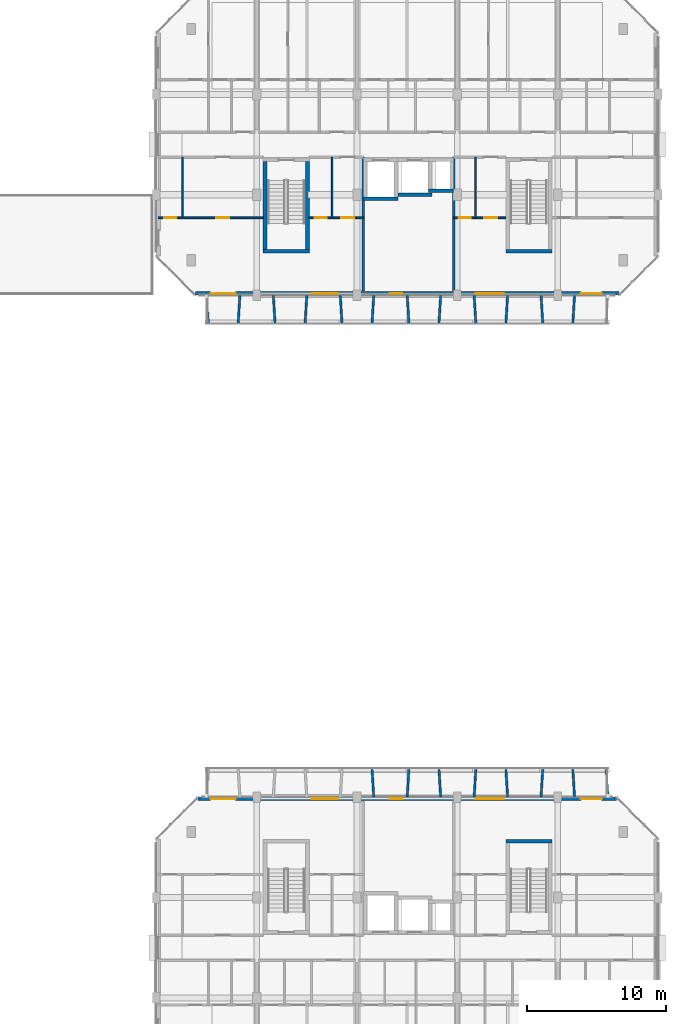
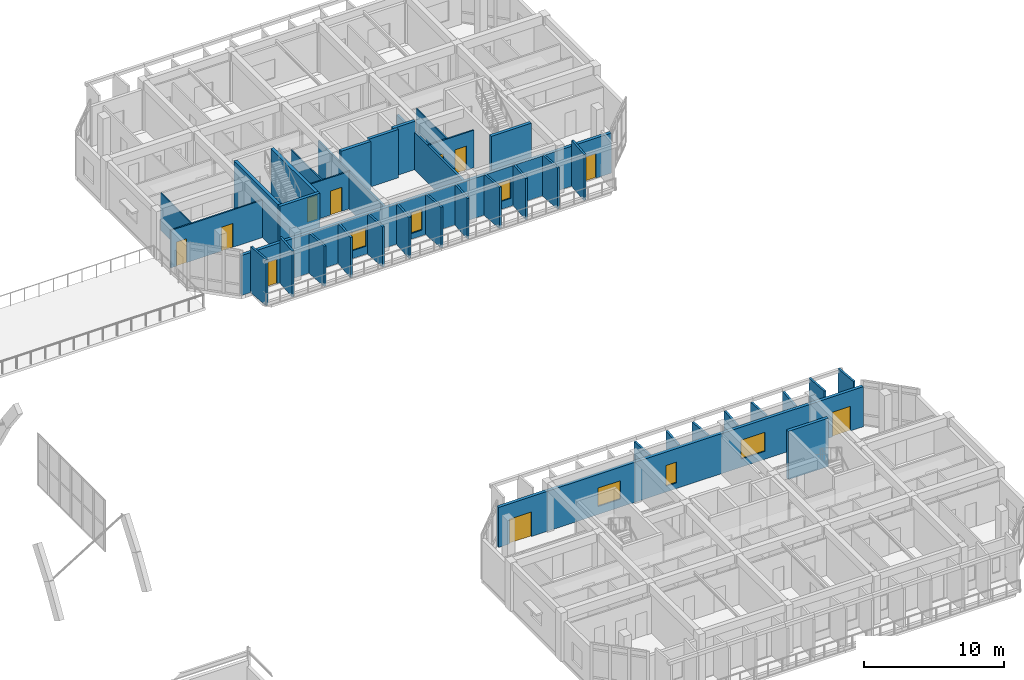
# One storey, part 59 of 85: 38 walls, 10 doors, 6 windows, 16 openings.
"""IFC4 building model written with IfcOpenShell, lengths in metres."""

from ifc_helpers import new_model, si_unit, direction, frame, frame_2d, origin, place, context, subcontext, project, spatial, rectangle, extrude, material, layer, layer_set, type_object, element, fill, save


model = new_model("IFC4")

# Units and contexts
model_context = context("Model", 3, precision=1e-05, world=origin(), true_north=direction((0.0, 1.0)))
body_context = subcontext(model_context, "Body", "Model", "MODEL_VIEW")
ifc_project = project(units=[si_unit("LENGTHUNIT", "METRE"), si_unit("AREAUNIT", "SQUARE_METRE"), si_unit("VOLUMEUNIT", "CUBIC_METRE"), si_unit("PLANEANGLEUNIT", "RADIAN"), si_unit("MASSUNIT", "GRAM", prefix="KILO")], contexts=[model_context])

# Site, building, storey
site_placement = place(None, origin())
site = spatial("IfcSite", under=ifc_project, at=site_placement, CompositionType="ELEMENT")
building_placement = place(site_placement, origin())
building = spatial("IfcBuilding", under=site, at=building_placement, Name="Ochrevale Crest", CompositionType="ELEMENT")
storey_placement = place(building_placement, frame((0.0, 0.0, 4.5)))
storey = spatial("IfcBuildingStorey", under=building, at=storey_placement, Name="L01", CompositionType="ELEMENT", Elevation=4.5)

# Walls
ifc_material_1 = material(Name="Precast concrete C50/60", Category="concrete")
ifc_layer_1 = layer(ifc_material_1, 0.2548828125)
ifc_layer_set_1 = layer_set([ifc_layer_1], Name="Precast concrete C50/60")
wall_type_1 = type_object("IfcWallType", Name="WL-CORE-255", PredefinedType="SHEAR", material=ifc_layer_set_1)
for number, where, z_axis, x_axis, name in (
    (1, (154.672607421875, 32.85009765625, 0.0), (0.0, 0.0, 1.0), (1.0, 0.0, 0.0), "Block C L01 Stair 2 precast core shear wall N"),
    (2, (137.2724609375, 75.14990234375, 0.0), (0.0, 0.0, 1.0), (1.0, 0.0, 0.0), "Block D L01 Stair 1 precast core shear wall S"),
):
    element("IfcWall", number, at=place(storey_placement, frame(where, z_axis=z_axis, x_axis=x_axis)), inside=storey, type_object=wall_type_1, Name=name, PredefinedType="SHEAR", context=body_context, shape_type="SweptSolid", body=[
        extrude(rectangle(XDim=3.304931640625, YDim=0.2548828125, at=frame_2d((1.65234375, 0.0))), origin(), (0.0, 0.0, 1.0), 4.199951171875),
    ])
for number, where, z_axis, x_axis, name in (
    (3, (137.39990234375, 75.277587890625, 0.0), (0.0, 0.0, 1.0), (0.0, 1.0, 0.0), "Block D L01 Stair 1 precast core shear wall W"),
    (4, (140.449951171875, 75.277587890625, 0.0), (0.0, 0.0, 1.0), (0.0, 1.0, 0.0), "Block D L01 Stair 1 precast core shear wall E"),
):
    element("IfcWall", number, at=place(storey_placement, frame(where, z_axis=z_axis, x_axis=x_axis)), inside=storey, type_object=wall_type_1, Name=name, PredefinedType="SHEAR", context=body_context, shape_type="SweptSolid", body=[
        extrude(rectangle(XDim=6.294921875, YDim=0.2548828125, at=frame_2d((3.1474609375, 0.0))), origin(), (0.0, 0.0, 1.0), 4.199951171875),
    ])
wall_1_placement = place(storey_placement, frame((154.672607421875, 75.14990234375, 0.0), z_axis=(0.0, 0.0, 1.0), x_axis=(1.0, 0.0, 0.0)))
element("IfcWall", 5, at=wall_1_placement, inside=storey, type_object=wall_type_1, Name="Block D L01 Stair 2 precast core shear wall S", PredefinedType="SHEAR", context=body_context, shape_type="SweptSolid", body=[
    extrude(rectangle(XDim=3.304931640625, YDim=0.2548828125, at=frame_2d((1.65234375, 0.0))), origin(), (0.0, 0.0, 1.0), 4.199951171875),
])
wall_2_placement = place(storey_placement, frame((144.472412109375, 78.89990234375, 0.0), z_axis=(0.0, 0.0, 1.0), x_axis=(1.0, 0.0, 0.0)))
element("IfcWall", 6, at=wall_2_placement, inside=storey, type_object=wall_type_1, Name="Block D L01 Lift 1 precast shaft shear wall S", PredefinedType="SHEAR", context=body_context, shape_type="SweptSolid", body=[
    extrude(rectangle(XDim=2.455078125, YDim=0.2548828125, at=frame_2d((1.2275390625, 0.0))), origin(), (0.0, 0.0, 1.0), 4.199951171875),
])
wall_3_placement = place(storey_placement, frame((146.922607421875, 79.199951171875, 0.0), z_axis=(0.0, 0.0, 1.0), x_axis=(1.0, 0.0, 0.0)))
element("IfcWall", 7, at=wall_3_placement, inside=storey, type_object=wall_type_1, Name="Block D L01 Lift 2 precast shaft shear wall S", PredefinedType="SHEAR", context=body_context, shape_type="SweptSolid", body=[
    extrude(rectangle(XDim=2.454833984375, YDim=0.2548828125, at=frame_2d((1.2275390625, 0.0))), origin(), (0.0, 0.0, 1.0), 4.199951171875),
])
wall_4_placement = place(storey_placement, frame((149.12255859375, 79.5, 0.0), z_axis=(0.0, 0.0, 1.0), x_axis=(1.0, 0.0, 0.0)))
element("IfcWall", 8, at=wall_4_placement, inside=storey, type_object=wall_type_1, Name="Block D L01 services riser shaft core wall S", PredefinedType="SHEAR", context=body_context, shape_type="SweptSolid", body=[
    extrude(rectangle(XDim=1.804931640625, YDim=0.2548828125, at=frame_2d((0.90234375, 0.0))), origin(), (0.0, 0.0, 1.0), 4.199951171875),
])

# Wall, openings, doors, windows
ifc_material_2 = material(Name="Precast concrete C40/50", Category="concrete")
ifc_layer_2 = layer(ifc_material_2, 0.25)
ifc_layer_set_2 = layer_set([ifc_layer_2], Name="Precast concrete C40/50")
wall_type_2 = type_object("IfcWallType", Name="WL-EXT-GOLD-250", PredefinedType="SOLIDWALL", material=ifc_layer_set_2)
wall_5_placement = place(storey_placement, frame((162.60009765625, 35.875, 0.0), z_axis=(0.0, 0.0, 1.0), x_axis=(-1.0, 0.0, 0.0)))
wall_5 = element("IfcWall", 9, at=wall_5_placement, inside=storey, type_object=wall_type_2, Name="Block C L01 external facade wall E5", PredefinedType="SOLIDWALL", context=body_context, shape_type="SweptSolid", body=[
    extrude(rectangle(XDim=30.0, YDim=0.25, at=frame_2d((15.0, 0.0))), origin(), (0.0, 0.0, 1.0), 3.47998046875),
])
opening_1_placement = place(wall_5_placement, frame((29.10009765625, 0.0, 0.0), z_axis=(0.0, 0.0, 1.0), x_axis=(-1.0, 0.0, 0.0)))
opening_1 = element("IfcOpeningElement", 10, at=opening_1_placement, cuts=wall_5, Name="Opening BD03", PredefinedType="OPENING", context=body_context, shape_type="SweptSolid", body=[
    extrude(rectangle(XDim=1.800048828125, YDim=2.14990234375, at=frame_2d((0.89990234375, 1.074951171875))), frame((0.0, 0.135009765625, 0.0), z_axis=(0.0, -1.0, 0.0), x_axis=(1.0, 0.0, 0.0)), (0.0, 0.0, 1.0), 0.27001953125),
])
opening_2_placement = place(wall_5_placement, frame((2.550048828125, 0.0, 0.0), z_axis=(0.0, 0.0, 1.0), x_axis=(-1.0, 0.0, 0.0)))
opening_2 = element("IfcOpeningElement", 11, at=opening_2_placement, cuts=wall_5, Name="Opening BD01", PredefinedType="OPENING", context=body_context, shape_type="SweptSolid", body=[
    extrude(rectangle(XDim=1.5, YDim=2.14990234375, at=frame_2d((0.75, 1.074951171875))), frame((0.0, 0.135009765625, 0.0), z_axis=(0.0, -1.0, 0.0), x_axis=(1.0, 0.0, 0.0)), (0.0, 0.0, 1.0), 0.27001953125),
])
opening_3_placement = place(wall_5_placement, frame((15.35498046875, 0.0, 0.5)))
opening_3 = element("IfcOpeningElement", 12, at=opening_3_placement, cuts=wall_5, Name="Opening W17", PredefinedType="OPENING", context=body_context, shape_type="SweptSolid", body=[
    extrude(rectangle(XDim=0.89990234375, YDim=1.800048828125, at=frame_2d((0.449951171875, 0.89990234375))), frame((0.0, 0.135009765625, 0.0), z_axis=(0.0, -1.0, 0.0), x_axis=(1.0, 0.0, 0.0)), (0.0, 0.0, 1.0), 0.27001953125),
])
opening_4_placement = place(wall_5_placement, frame((8.074951171875, 0.0, 0.699951171875)))
opening_4 = element("IfcOpeningElement", 13, at=opening_4_placement, cuts=wall_5, Name="Opening W12", PredefinedType="OPENING", context=body_context, shape_type="SweptSolid", body=[
    extrude(rectangle(XDim=2.0, YDim=1.64990234375, at=frame_2d((1.0, 0.824951171875))), frame((0.0, 0.135009765625, 0.0), z_axis=(0.0, -1.0, 0.0), x_axis=(1.0, 0.0, 0.0)), (0.0, 0.0, 1.0), 0.27001953125),
])
opening_5_placement = place(wall_5_placement, frame((19.969970703125, 0.0, 0.699951171875)))
opening_5 = element("IfcOpeningElement", 14, at=opening_5_placement, cuts=wall_5, Name="Opening W11", PredefinedType="OPENING", context=body_context, shape_type="SweptSolid", body=[
    extrude(rectangle(XDim=1.860107421875, YDim=1.60009765625, at=frame_2d((0.93017578125, 0.800048828125))), frame((0.0, 0.135009765625, 0.0), z_axis=(0.0, -1.0, 0.0), x_axis=(1.0, 0.0, 0.0)), (0.0, 0.0, 1.0), 0.27001953125),
])
ifc_material_3 = material(Name="Anodised aluminium 6063-T5 and toughened glass", Category="aluminium")
door_type_1 = type_object("IfcDoorType", Name="DR-BAL-1500", OperationType="NOTDEFINED", PredefinedType="DOOR", material=ifc_material_3)
door_1_placement = place(opening_2_placement, origin())
door_1 = element("IfcDoor", 15, at=door_1_placement, inside=storey, type_object=door_type_1, Name="Block C L01 balcony door N5", OperationType="SINGLE_SWING_LEFT", OverallHeight=2.14990234375, OverallWidth=1.5, PredefinedType="DOOR", context=body_context, shape_type="SweptSolid", body=[
    extrude(rectangle(XDim=1.5, YDim=2.14990234375, at=frame_2d((0.75, 1.074951171875))), frame((0.0, 0.02490234375, 0.0), z_axis=(0.0, -1.0, 0.0), x_axis=(1.0, 0.0, 0.0)), (0.0, 0.0, 1.0), 0.050048828125),
])
fill(opening_2, door_1)
door_type_2 = type_object("IfcDoorType", Name="DR-BAL-1800", OperationType="NOTDEFINED", PredefinedType="DOOR", material=ifc_material_3)
door_2_placement = place(opening_1_placement, origin())
door_2 = element("IfcDoor", 16, at=door_2_placement, inside=storey, type_object=door_type_2, Name="Block C L01 balcony door N1", OperationType="SINGLE_SWING_RIGHT", OverallHeight=2.14990234375, OverallWidth=1.800048828125, PredefinedType="DOOR", context=body_context, shape_type="SweptSolid", body=[
    extrude(rectangle(XDim=1.800048828125, YDim=2.14990234375, at=frame_2d((0.89990234375, 1.074951171875))), frame((0.0, 0.02490234375, 0.0), z_axis=(0.0, -1.0, 0.0), x_axis=(1.0, 0.0, 0.0)), (0.0, 0.0, 1.0), 0.050048828125),
])
fill(opening_1, door_2)
ifc_material_4 = material(Name="Anodised aluminium 6063-T5 and low-E double glazing", Category="aluminium")
window_type_1 = type_object("IfcWindowType", Name="WIN-W11", PartitioningType="SINGLE_PANEL", PredefinedType="WINDOW", material=ifc_material_4)
window_1_placement = place(opening_5_placement, origin())
window_1 = element("IfcWindow", 17, at=window_1_placement, inside=storey, type_object=window_type_1, Name="Block C L01 Suite C-L01-MW Courtyard Studio Living window", OverallHeight=1.60009765625, OverallWidth=1.860107421875, PartitioningType="SINGLE_PANEL", PredefinedType="WINDOW", context=body_context, shape_type="SweptSolid", body=[
    extrude(rectangle(XDim=1.860107421875, YDim=1.60009765625, at=frame_2d((0.93017578125, 0.800048828125))), frame((0.0, 0.030029296875, 0.0), z_axis=(0.0, -1.0, 0.0), x_axis=(1.0, 0.0, 0.0)), (0.0, 0.0, 1.0), 0.06005859375),
])
fill(opening_5, window_1)
window_type_2 = type_object("IfcWindowType", Name="WIN-W12", PartitioningType="SINGLE_PANEL", PredefinedType="WINDOW", material=ifc_material_4)
window_2_placement = place(opening_4_placement, origin())
window_2 = element("IfcWindow", 18, at=window_2_placement, inside=storey, type_object=window_type_2, Name="Block C L01 Suite C-L01-ME Garden Alcove Studio window", OverallHeight=1.64990234375, OverallWidth=2.0, PartitioningType="SINGLE_PANEL", PredefinedType="WINDOW", context=body_context, shape_type="SweptSolid", body=[
    extrude(rectangle(XDim=2.0, YDim=1.64990234375, at=frame_2d((1.0, 0.824951171875))), frame((0.0, 0.030029296875, 0.0), z_axis=(0.0, -1.0, 0.0), x_axis=(1.0, 0.0, 0.0)), (0.0, 0.0, 1.0), 0.06005859375),
])
fill(opening_4, window_2)
window_type_3 = type_object("IfcWindowType", Name="WIN-W17", PartitioningType="SINGLE_PANEL", PredefinedType="WINDOW", material=ifc_material_4)
window_3_placement = place(opening_3_placement, origin())
window_3 = element("IfcWindow", 19, at=window_3_placement, inside=storey, type_object=window_type_3, Name="Block C L01 core lancet window", OverallHeight=1.800048828125, OverallWidth=0.89990234375, PartitioningType="SINGLE_PANEL", PredefinedType="WINDOW", context=body_context, shape_type="SweptSolid", body=[
    extrude(rectangle(XDim=0.89990234375, YDim=1.800048828125, at=frame_2d((0.449951171875, 0.89990234375))), frame((0.0, 0.030029296875, 0.0), z_axis=(0.0, -1.0, 0.0), x_axis=(1.0, 0.0, 0.0)), (0.0, 0.0, 1.0), 0.06005859375),
])
fill(opening_3, window_3)

wall_6_placement = place(storey_placement, frame((132.39990234375, 72.125, 0.0), z_axis=(0.0, 0.0, 1.0), x_axis=(1.0, 0.0, 0.0)))
wall_6 = element("IfcWall", 20, at=wall_6_placement, inside=storey, type_object=wall_type_2, Name="Block D L01 external facade wall E1", PredefinedType="SOLIDWALL", context=body_context, shape_type="SweptSolid", body=[
    extrude(rectangle(XDim=30.400146484375, YDim=0.25, at=frame_2d((15.2001953125, 0.0))), origin(), (0.0, 0.0, 1.0), 3.47998046875),
])
opening_6_placement = place(wall_6_placement, frame((2.900146484375, 0.0, 0.0), z_axis=(0.0, 0.0, 1.0), x_axis=(-1.0, 0.0, 0.0)))
opening_6 = element("IfcOpeningElement", 21, at=opening_6_placement, cuts=wall_6, Name="Opening BD03", PredefinedType="OPENING", context=body_context, shape_type="SweptSolid", body=[
    extrude(rectangle(XDim=1.800048828125, YDim=2.14990234375, at=frame_2d((0.89990234375, 1.074951171875))), frame((0.0, 0.135009765625, 0.0), z_axis=(0.0, -1.0, 0.0), x_axis=(1.0, 0.0, 0.0)), (0.0, 0.0, 1.0), 0.27001953125),
])
opening_7_placement = place(wall_6_placement, frame((29.14990234375, 0.0, 0.0), z_axis=(0.0, 0.0, 1.0), x_axis=(-1.0, 0.0, 0.0)))
opening_7 = element("IfcOpeningElement", 22, at=opening_7_placement, cuts=wall_6, Name="Opening BD01", PredefinedType="OPENING", context=body_context, shape_type="SweptSolid", body=[
    extrude(rectangle(XDim=1.5, YDim=2.14990234375, at=frame_2d((0.75, 1.074951171875))), frame((0.0, 0.135009765625, 0.0), z_axis=(0.0, -1.0, 0.0), x_axis=(1.0, 0.0, 0.0)), (0.0, 0.0, 1.0), 0.27001953125),
])
opening_8_placement = place(wall_6_placement, frame((13.945068359375, 0.0, 0.5)))
opening_8 = element("IfcOpeningElement", 23, at=opening_8_placement, cuts=wall_6, Name="Opening W17", PredefinedType="OPENING", context=body_context, shape_type="SweptSolid", body=[
    extrude(rectangle(XDim=0.89990234375, YDim=1.800048828125, at=frame_2d((0.449951171875, 0.89990234375))), frame((0.0, 0.135009765625, 0.0), z_axis=(0.0, -1.0, 0.0), x_axis=(1.0, 0.0, 0.0)), (0.0, 0.0, 1.0), 0.27001953125),
])
opening_9_placement = place(wall_6_placement, frame((20.125, 0.0, 0.699951171875)))
opening_9 = element("IfcOpeningElement", 24, at=opening_9_placement, cuts=wall_6, Name="Opening W12", PredefinedType="OPENING", context=body_context, shape_type="SweptSolid", body=[
    extrude(rectangle(XDim=2.0, YDim=1.64990234375, at=frame_2d((1.0, 0.824951171875))), frame((0.0, 0.135009765625, 0.0), z_axis=(0.0, -1.0, 0.0), x_axis=(1.0, 0.0, 0.0)), (0.0, 0.0, 1.0), 0.27001953125),
])
opening_10_placement = place(wall_6_placement, frame((8.3701171875, 0.0, 0.699951171875)))
opening_10 = element("IfcOpeningElement", 25, at=opening_10_placement, cuts=wall_6, Name="Opening W11", PredefinedType="OPENING", context=body_context, shape_type="SweptSolid", body=[
    extrude(rectangle(XDim=1.860107421875, YDim=1.60009765625, at=frame_2d((0.93017578125, 0.800048828125))), frame((0.0, 0.135009765625, 0.0), z_axis=(0.0, -1.0, 0.0), x_axis=(1.0, 0.0, 0.0)), (0.0, 0.0, 1.0), 0.27001953125),
])
door_3_placement = place(opening_7_placement, origin())
door_3 = element("IfcDoor", 26, at=door_3_placement, inside=storey, type_object=door_type_1, Name="Block D L01 balcony door S5", OperationType="SINGLE_SWING_LEFT", OverallHeight=2.14990234375, OverallWidth=1.5, PredefinedType="DOOR", context=body_context, shape_type="SweptSolid", body=[
    extrude(rectangle(XDim=1.5, YDim=2.14990234375, at=frame_2d((0.75, 1.074951171875))), frame((0.0, 0.02490234375, 0.0), z_axis=(0.0, -1.0, 0.0), x_axis=(1.0, 0.0, 0.0)), (0.0, 0.0, 1.0), 0.050048828125),
])
fill(opening_7, door_3)
door_4_placement = place(opening_6_placement, origin())
door_4 = element("IfcDoor", 27, at=door_4_placement, inside=storey, type_object=door_type_2, Name="Block D L01 balcony door S1", OperationType="SINGLE_SWING_RIGHT", OverallHeight=2.14990234375, OverallWidth=1.800048828125, PredefinedType="DOOR", context=body_context, shape_type="SweptSolid", body=[
    extrude(rectangle(XDim=1.800048828125, YDim=2.14990234375, at=frame_2d((0.89990234375, 1.074951171875))), frame((0.0, 0.02490234375, 0.0), z_axis=(0.0, -1.0, 0.0), x_axis=(1.0, 0.0, 0.0)), (0.0, 0.0, 1.0), 0.050048828125),
])
fill(opening_6, door_4)
window_4_placement = place(opening_10_placement, origin())
window_4 = element("IfcWindow", 28, at=window_4_placement, inside=storey, type_object=window_type_1, Name="Block D L01 Suite D-L01-MW Courtyard Studio Living window", OverallHeight=1.60009765625, OverallWidth=1.860107421875, PartitioningType="SINGLE_PANEL", PredefinedType="WINDOW", context=body_context, shape_type="SweptSolid", body=[
    extrude(rectangle(XDim=1.860107421875, YDim=1.60009765625, at=frame_2d((0.93017578125, 0.800048828125))), frame((0.0, 0.030029296875, 0.0), z_axis=(0.0, -1.0, 0.0), x_axis=(1.0, 0.0, 0.0)), (0.0, 0.0, 1.0), 0.06005859375),
])
fill(opening_10, window_4)
window_5_placement = place(opening_9_placement, origin())
window_5 = element("IfcWindow", 29, at=window_5_placement, inside=storey, type_object=window_type_2, Name="Block D L01 Suite D-L01-ME Garden Alcove Studio window", OverallHeight=1.64990234375, OverallWidth=2.0, PartitioningType="SINGLE_PANEL", PredefinedType="WINDOW", context=body_context, shape_type="SweptSolid", body=[
    extrude(rectangle(XDim=2.0, YDim=1.64990234375, at=frame_2d((1.0, 0.824951171875))), frame((0.0, 0.030029296875, 0.0), z_axis=(0.0, -1.0, 0.0), x_axis=(1.0, 0.0, 0.0)), (0.0, 0.0, 1.0), 0.06005859375),
])
fill(opening_9, window_5)
window_6_placement = place(opening_8_placement, origin())
window_6 = element("IfcWindow", 30, at=window_6_placement, inside=storey, type_object=window_type_3, Name="Block D L01 core lancet window", OverallHeight=1.800048828125, OverallWidth=0.89990234375, PartitioningType="SINGLE_PANEL", PredefinedType="WINDOW", context=body_context, shape_type="SweptSolid", body=[
    extrude(rectangle(XDim=0.89990234375, YDim=1.800048828125, at=frame_2d((0.449951171875, 0.89990234375))), frame((0.0, 0.030029296875, 0.0), z_axis=(0.0, -1.0, 0.0), x_axis=(1.0, 0.0, 0.0)), (0.0, 0.0, 1.0), 0.06005859375),
])
fill(opening_8, window_6)

# Walls
ifc_layer_3 = layer(ifc_material_2, 0.1650390625)
ifc_layer_set_3 = layer_set([ifc_layer_3], Name="Precast concrete C40/50")
wall_type_3 = type_object("IfcWallType", Name="WL-HC-CHEEK-165", PredefinedType="ELEMENTEDWALL", material=ifc_layer_set_3)
for number, where, z_axis, x_axis, name in (
    (31, (145.199951171875, 36.02001953125, 0.0), (0.0, 0.0, 1.0), (-0.061046865508, 0.998134900808, 0.0), "Block C L01 N precast honeycomb cheek 6"),
    (32, (147.60009765625, 36.02001953125, 0.0), (0.0, 0.0, 1.0), (0.061046865508, 0.998134900808, 0.0), "Block C L01 N precast honeycomb cheek 7"),
    (33, (150.0, 36.02001953125, 0.0), (0.0, 0.0, 1.0), (-0.061170732449, 0.998127317276, 0.0), "Block C L01 N precast honeycomb cheek 8"),
):
    element("IfcWall", number, at=place(storey_placement, frame(where, z_axis=z_axis, x_axis=x_axis)), inside=storey, type_object=wall_type_3, Name=name, PredefinedType="ELEMENTEDWALL", context=body_context, shape_type="SweptSolid", body=[
        extrude(rectangle(XDim=1.963623046875, YDim=0.1650390625, at=frame_2d((0.98193359375, 0.0))), origin(), (0.0, 0.0, 1.0), 3.530029296875),
    ])
for number, where, z_axis, x_axis, name in (
    (34, (152.39990234375, 36.02001953125, 0.0), (0.0, 0.0, 1.0), (0.061170732449, 0.998127317276, 0.0), "Block C L01 N precast honeycomb cheek 9"),
    (35, (154.800048828125, 36.02001953125, 0.0), (0.0, 0.0, 1.0), (-0.061170732449, 0.998127317276, 0.0), "Block C L01 N precast honeycomb cheek 10"),
    (36, (157.199951171875, 36.02001953125, 0.0), (0.0, 0.0, 1.0), (0.061170732449, 0.998127317276, 0.0), "Block C L01 N precast honeycomb cheek 11"),
):
    element("IfcWall", number, at=place(storey_placement, frame(where, z_axis=z_axis, x_axis=x_axis)), inside=storey, type_object=wall_type_3, Name=name, PredefinedType="ELEMENTEDWALL", context=body_context, shape_type="SweptSolid", body=[
        extrude(rectangle(XDim=1.963623046875, YDim=0.1650390625, at=frame_2d((0.98193359375, 0.0))), origin(), (0.0, 0.0, 1.0), 3.580078125),
    ])
wall_7_placement = place(storey_placement, frame((159.60009765625, 36.02001953125, 0.0), z_axis=(0.0, 0.0, 1.0), x_axis=(-0.061170732449, 0.998127317276, 0.0)))
element("IfcWall", 37, at=wall_7_placement, inside=storey, type_object=wall_type_3, Name="Block C L01 N precast honeycomb cheek 12", PredefinedType="ELEMENTEDWALL", context=body_context, shape_type="SweptSolid", body=[
    extrude(rectangle(XDim=1.963623046875, YDim=0.1650390625, at=frame_2d((0.98193359375, 0.0))), origin(), (0.0, 0.0, 1.0), 4.0),
])
for number, where, z_axis, x_axis, name in (
    (38, (162.0, 36.02001953125, 0.0), (0.0, 0.0, 1.0), (-0.071194071069, 0.997462482625, 0.0), "Block C L01 N precast honeycomb cheek 13"),
    (39, (133.199951171875, 71.97998046875, 0.0), (0.0, 0.0, 1.0), (0.071317687608, -0.997453651772, 0.0), "Block D L01 S precast honeycomb cheek 1"),
):
    element("IfcWall", number, at=place(storey_placement, frame(where, z_axis=z_axis, x_axis=x_axis)), inside=storey, type_object=wall_type_3, Name=name, PredefinedType="ELEMENTEDWALL", context=body_context, shape_type="SweptSolid", body=[
        extrude(rectangle(XDim=1.96484375, YDim=0.1650390625, at=frame_2d((0.982421875, 0.0))), origin(), (0.0, 0.0, 1.0), 4.0),
    ])
wall_8_placement = place(storey_placement, frame((135.60009765625, 71.97998046875, 0.0), z_axis=(0.0, 0.0, 1.0), x_axis=(-0.061170732449, -0.998127317276, 0.0)))
element("IfcWall", 40, at=wall_8_placement, inside=storey, type_object=wall_type_3, Name="Block D L01 S precast honeycomb cheek 2", PredefinedType="ELEMENTEDWALL", context=body_context, shape_type="SweptSolid", body=[
    extrude(rectangle(XDim=1.963623046875, YDim=0.1650390625, at=frame_2d((0.98193359375, 0.0))), origin(), (0.0, 0.0, 1.0), 4.0),
])
for number, where, z_axis, x_axis, name in (
    (41, (138.0, 71.97998046875, 0.0), (0.0, 0.0, 1.0), (0.061170732449, -0.998127317276, 0.0), "Block D L01 S precast honeycomb cheek 3"),
    (42, (140.39990234375, 71.97998046875, 0.0), (0.0, 0.0, 1.0), (-0.061046865508, -0.998134900808, 0.0), "Block D L01 S precast honeycomb cheek 4"),
    (43, (142.800048828125, 71.97998046875, 0.0), (0.0, 0.0, 1.0), (0.061046865508, -0.998134900808, 0.0), "Block D L01 S precast honeycomb cheek 5"),
):
    element("IfcWall", number, at=place(storey_placement, frame(where, z_axis=z_axis, x_axis=x_axis)), inside=storey, type_object=wall_type_3, Name=name, PredefinedType="ELEMENTEDWALL", context=body_context, shape_type="SweptSolid", body=[
        extrude(rectangle(XDim=1.963623046875, YDim=0.1650390625, at=frame_2d((0.98193359375, 0.0))), origin(), (0.0, 0.0, 1.0), 3.5),
    ])
for number, where, z_axis, x_axis, name in (
    (44, (145.199951171875, 71.97998046875, 0.0), (0.0, 0.0, 1.0), (-0.061046865508, -0.998134900808, 0.0), "Block D L01 S precast honeycomb cheek 6"),
    (45, (147.60009765625, 71.97998046875, 0.0), (0.0, 0.0, 1.0), (0.061046865508, -0.998134900808, 0.0), "Block D L01 S precast honeycomb cheek 7"),
    (46, (150.0, 71.97998046875, 0.0), (0.0, 0.0, 1.0), (-0.061170732449, -0.998127317276, 0.0), "Block D L01 S precast honeycomb cheek 8"),
):
    element("IfcWall", number, at=place(storey_placement, frame(where, z_axis=z_axis, x_axis=x_axis)), inside=storey, type_object=wall_type_3, Name=name, PredefinedType="ELEMENTEDWALL", context=body_context, shape_type="SweptSolid", body=[
        extrude(rectangle(XDim=1.963623046875, YDim=0.1650390625, at=frame_2d((0.98193359375, 0.0))), origin(), (0.0, 0.0, 1.0), 3.530029296875),
    ])
for number, where, z_axis, x_axis, name in (
    (47, (152.39990234375, 71.97998046875, 0.0), (0.0, 0.0, 1.0), (0.061170732449, -0.998127317276, 0.0), "Block D L01 S precast honeycomb cheek 9"),
    (48, (154.800048828125, 71.97998046875, 0.0), (0.0, 0.0, 1.0), (-0.061170732449, -0.998127317276, 0.0), "Block D L01 S precast honeycomb cheek 10"),
    (49, (157.199951171875, 71.97998046875, 0.0), (0.0, 0.0, 1.0), (0.061170732449, -0.998127317276, 0.0), "Block D L01 S precast honeycomb cheek 11"),
):
    element("IfcWall", number, at=place(storey_placement, frame(where, z_axis=z_axis, x_axis=x_axis)), inside=storey, type_object=wall_type_3, Name=name, PredefinedType="ELEMENTEDWALL", context=body_context, shape_type="SweptSolid", body=[
        extrude(rectangle(XDim=1.963623046875, YDim=0.1650390625, at=frame_2d((0.98193359375, 0.0))), origin(), (0.0, 0.0, 1.0), 3.580078125),
    ])
wall_9_placement = place(storey_placement, frame((159.60009765625, 71.97998046875, 0.0), z_axis=(0.0, 0.0, 1.0), x_axis=(-0.061170732449, -0.998127317276, 0.0)))
element("IfcWall", 50, at=wall_9_placement, inside=storey, type_object=wall_type_3, Name="Block D L01 S precast honeycomb cheek 12", PredefinedType="ELEMENTEDWALL", context=body_context, shape_type="SweptSolid", body=[
    extrude(rectangle(XDim=1.963623046875, YDim=0.1650390625, at=frame_2d((0.98193359375, 0.0))), origin(), (0.0, 0.0, 1.0), 4.0),
])

# Wall, openings, doors
ifc_material_5 = material(Name="Gypsum plasterboard", Category="gypsum")
ifc_layer_4 = layer(ifc_material_5, 0.1201171875)
ifc_layer_set_4 = layer_set([ifc_layer_4], Name="Gypsum plasterboard")
wall_type_4 = type_object("IfcWallType", Name="WL-PART-120", PredefinedType="PARTITIONING", material=ifc_layer_set_4)
wall_10_placement = place(storey_placement, frame((129.739990234375, 77.550048828125, 0.0), z_axis=(0.0, 0.0, 1.0), x_axis=(1.0, 0.0, 0.0)))
wall_10 = element("IfcWall", 51, at=wall_10_placement, inside=storey, type_object=wall_type_4, Name="Suite D-L01-CW internal wall", PredefinedType="PARTITIONING", context=body_context, shape_type="SweptSolid", body=[
    extrude(rectangle(XDim=7.52001953125, YDim=0.1201171875, at=frame_2d((3.760009765625, 0.0))), origin(), (0.0, 0.0, 1.0), 3.25),
])
opening_11_placement = place(wall_10_placement, frame((0.449951171875, 0.0, 0.0)))
opening_11 = element("IfcOpeningElement", 52, at=opening_11_placement, cuts=wall_10, Name="Opening ID01", PredefinedType="OPENING", context=body_context, shape_type="SweptSolid", body=[
    extrude(rectangle(XDim=0.85009765625, YDim=2.080078125, at=frame_2d((0.425048828125, 1.0400390625))), frame((0.0, 0.070068359375, 0.0), z_axis=(0.0, -1.0, 0.0), x_axis=(1.0, 0.0, 0.0)), (0.0, 0.0, 1.0), 0.14013671875),
])
opening_12_placement = place(wall_10_placement, frame((5.094970703125, 0.0, 0.0), z_axis=(0.0, 0.0, 1.0), x_axis=(-1.0, 0.0, 0.0)))
opening_12 = element("IfcOpeningElement", 53, at=opening_12_placement, cuts=wall_10, Name="Opening ID04", PredefinedType="OPENING", context=body_context, shape_type="SweptSolid", body=[
    extrude(rectangle(XDim=0.919921875, YDim=2.080078125, at=frame_2d((0.4599609375, 1.0400390625))), frame((0.0, 0.070068359375, 0.0), z_axis=(0.0, -1.0, 0.0), x_axis=(1.0, 0.0, 0.0)), (0.0, 0.0, 1.0), 0.14013671875),
])
ifc_material_6 = material(Name="Solid-core FSC hardwood", Category="wood")
door_type_3 = type_object("IfcDoorType", Name="DR-INT-920", OperationType="NOTDEFINED", PredefinedType="DOOR", material=ifc_material_6)
door_5_placement = place(opening_12_placement, origin())
door_5 = element("IfcDoor", 54, at=door_5_placement, inside=storey, type_object=door_type_3, Name="Suite D-L01-CW Garden Alcove Studio door", OperationType="SINGLE_SWING_RIGHT", OverallHeight=2.080078125, OverallWidth=0.919921875, PredefinedType="DOOR", context=body_context, shape_type="SweptSolid", body=[
    extrude(rectangle(XDim=0.919921875, YDim=2.080078125, at=frame_2d((0.4599609375, 1.0400390625))), frame((0.0, 0.02490234375, 0.0), z_axis=(0.0, -1.0, 0.0), x_axis=(1.0, 0.0, 0.0)), (0.0, 0.0, 1.0), 0.050048828125),
])
fill(opening_12, door_5)
door_type_4 = type_object("IfcDoorType", Name="DR-WC-850", OperationType="NOTDEFINED", PredefinedType="DOOR", material=ifc_material_6)
door_6_placement = place(opening_11_placement, origin())
door_6 = element("IfcDoor", 55, at=door_6_placement, inside=storey, type_object=door_type_4, Name="Suite D-L01-CW Bathroom door", OperationType="SINGLE_SWING_LEFT", OverallHeight=2.080078125, OverallWidth=0.85009765625, PredefinedType="DOOR", context=body_context, shape_type="SweptSolid", body=[
    extrude(rectangle(XDim=0.85009765625, YDim=2.080078125, at=frame_2d((0.425048828125, 1.0400390625))), frame((0.0, 0.02490234375, 0.0), z_axis=(0.0, -1.0, 0.0), x_axis=(1.0, 0.0, 0.0)), (0.0, 0.0, 1.0), 0.050048828125),
])
fill(opening_11, door_6)

wall_11_placement = place(storey_placement, frame((140.590087890625, 77.550048828125, 0.0), z_axis=(0.0, 0.0, 1.0), x_axis=(1.0, 0.0, 0.0)))
wall_11 = element("IfcWall", 56, at=wall_11_placement, inside=storey, type_object=wall_type_4, Name="Suite D-L01-MW internal wall", PredefinedType="PARTITIONING", context=body_context, shape_type="SweptSolid", body=[
    extrude(rectangle(XDim=3.869873046875, YDim=0.1201171875, at=frame_2d((1.93505859375, 0.0))), origin(), (0.0, 0.0, 1.0), 3.25),
])
opening_13_placement = place(wall_11_placement, frame((1.23779296875, 0.0, 0.0), z_axis=(0.0, 0.0, 1.0), x_axis=(-1.0, 0.0, 0.0)))
opening_13 = element("IfcOpeningElement", 57, at=opening_13_placement, cuts=wall_11, Name="Opening ID01", PredefinedType="OPENING", context=body_context, shape_type="SweptSolid", body=[
    extrude(rectangle(XDim=0.85009765625, YDim=2.080078125, at=frame_2d((0.425048828125, 1.0400390625))), frame((0.0, 0.070068359375, 0.0), z_axis=(0.0, -1.0, 0.0), x_axis=(1.0, 0.0, 0.0)), (0.0, 0.0, 1.0), 0.14013671875),
])
opening_14_placement = place(wall_11_placement, frame((2.28759765625, 0.0, 0.0)))
opening_14 = element("IfcOpeningElement", 58, at=opening_14_placement, cuts=wall_11, Name="Opening ID04", PredefinedType="OPENING", context=body_context, shape_type="SweptSolid", body=[
    extrude(rectangle(XDim=0.919921875, YDim=2.080078125, at=frame_2d((0.4599609375, 1.0400390625))), frame((0.0, 0.070068359375, 0.0), z_axis=(0.0, -1.0, 0.0), x_axis=(1.0, 0.0, 0.0)), (0.0, 0.0, 1.0), 0.14013671875),
])
door_7_placement = place(opening_14_placement, origin())
door_7 = element("IfcDoor", 59, at=door_7_placement, inside=storey, type_object=door_type_3, Name="Suite D-L01-MW Courtyard Studio Living door", OperationType="SINGLE_SWING_LEFT", OverallHeight=2.080078125, OverallWidth=0.919921875, PredefinedType="DOOR", context=body_context, shape_type="SweptSolid", body=[
    extrude(rectangle(XDim=0.919921875, YDim=2.080078125, at=frame_2d((0.4599609375, 1.0400390625))), frame((0.0, 0.02490234375, 0.0), z_axis=(0.0, -1.0, 0.0), x_axis=(1.0, 0.0, 0.0)), (0.0, 0.0, 1.0), 0.050048828125),
])
fill(opening_14, door_7)
door_8_placement = place(opening_13_placement, origin())
door_8 = element("IfcDoor", 60, at=door_8_placement, inside=storey, type_object=door_type_4, Name="Suite D-L01-MW Bathroom door", OperationType="SINGLE_SWING_RIGHT", OverallHeight=2.080078125, OverallWidth=0.85009765625, PredefinedType="DOOR", context=body_context, shape_type="SweptSolid", body=[
    extrude(rectangle(XDim=0.85009765625, YDim=2.080078125, at=frame_2d((0.425048828125, 1.0400390625))), frame((0.0, 0.02490234375, 0.0), z_axis=(0.0, -1.0, 0.0), x_axis=(1.0, 0.0, 0.0)), (0.0, 0.0, 1.0), 0.050048828125),
])
fill(opening_13, door_8)

wall_12_placement = place(storey_placement, frame((150.93994140625, 77.550048828125, 0.0), z_axis=(0.0, 0.0, 1.0), x_axis=(1.0, 0.0, 0.0)))
wall_12 = element("IfcWall", 61, at=wall_12_placement, inside=storey, type_object=wall_type_4, Name="Suite D-L01-ME internal wall", PredefinedType="PARTITIONING", context=body_context, shape_type="SweptSolid", body=[
    extrude(rectangle(XDim=3.719970703125, YDim=0.1201171875, at=frame_2d((1.85986328125, 0.0))), origin(), (0.0, 0.0, 1.0), 3.25),
])
opening_15_placement = place(wall_12_placement, frame((0.356201171875, 0.0, 0.0)))
opening_15 = element("IfcOpeningElement", 62, at=opening_15_placement, cuts=wall_12, Name="Opening ID01", PredefinedType="OPENING", context=body_context, shape_type="SweptSolid", body=[
    extrude(rectangle(XDim=0.85009765625, YDim=2.080078125, at=frame_2d((0.425048828125, 1.0400390625))), frame((0.0, 0.070068359375, 0.0), z_axis=(0.0, -1.0, 0.0), x_axis=(1.0, 0.0, 0.0)), (0.0, 0.0, 1.0), 0.14013671875),
])
opening_16_placement = place(wall_12_placement, frame((3.10107421875, 0.0, 0.0), z_axis=(0.0, 0.0, 1.0), x_axis=(-1.0, 0.0, 0.0)))
opening_16 = element("IfcOpeningElement", 63, at=opening_16_placement, cuts=wall_12, Name="Opening ID04", PredefinedType="OPENING", context=body_context, shape_type="SweptSolid", body=[
    extrude(rectangle(XDim=0.919921875, YDim=2.080078125, at=frame_2d((0.4599609375, 1.0400390625))), frame((0.0, 0.070068359375, 0.0), z_axis=(0.0, -1.0, 0.0), x_axis=(1.0, 0.0, 0.0)), (0.0, 0.0, 1.0), 0.14013671875),
])
door_9_placement = place(opening_16_placement, origin())
door_9 = element("IfcDoor", 64, at=door_9_placement, inside=storey, type_object=door_type_3, Name="Suite D-L01-ME Garden Alcove Studio door", OperationType="SINGLE_SWING_RIGHT", OverallHeight=2.080078125, OverallWidth=0.919921875, PredefinedType="DOOR", context=body_context, shape_type="SweptSolid", body=[
    extrude(rectangle(XDim=0.919921875, YDim=2.080078125, at=frame_2d((0.4599609375, 1.0400390625))), frame((0.0, 0.02490234375, 0.0), z_axis=(0.0, -1.0, 0.0), x_axis=(1.0, 0.0, 0.0)), (0.0, 0.0, 1.0), 0.050048828125),
])
fill(opening_16, door_9)
door_10_placement = place(opening_15_placement, origin())
door_10 = element("IfcDoor", 65, at=door_10_placement, inside=storey, type_object=door_type_4, Name="Suite D-L01-ME Bathroom door", OperationType="SINGLE_SWING_LEFT", OverallHeight=2.080078125, OverallWidth=0.85009765625, PredefinedType="DOOR", context=body_context, shape_type="SweptSolid", body=[
    extrude(rectangle(XDim=0.85009765625, YDim=2.080078125, at=frame_2d((0.425048828125, 1.0400390625))), frame((0.0, 0.02490234375, 0.0), z_axis=(0.0, -1.0, 0.0), x_axis=(1.0, 0.0, 0.0)), (0.0, 0.0, 1.0), 0.050048828125),
])
fill(opening_15, door_10)

# Walls
ifc_layer_5 = layer(ifc_material_5, 0.169921875)
ifc_layer_set_5 = layer_set([ifc_layer_5], Name="Gypsum plasterboard")
wall_type_5 = type_object("IfcWallType", Name="WL-TEN-170", PredefinedType="PARTITIONING", material=ifc_layer_set_5)
for number, where, z_axis, x_axis, name in (
    (66, (144.4599609375, 72.300048828125, 0.0), (0.0, 0.0, 1.0), (0.0, 1.0, 0.0), "Suite D-L01-MW east party wall"),
    (67, (150.93994140625, 72.300048828125, 0.0), (0.0, 0.0, 1.0), (0.0, 1.0, 0.0), "Suite D-L01-ME west party wall"),
):
    element("IfcWall", number, at=place(storey_placement, frame(where, z_axis=z_axis, x_axis=x_axis)), inside=storey, type_object=wall_type_5, Name=name, PredefinedType="PARTITIONING", context=body_context, shape_type="SweptSolid", body=[
        extrude(rectangle(XDim=9.599853515625, YDim=0.169921875, at=frame_2d((4.7998046875, 0.0))), origin(), (0.0, 0.0, 1.0), 3.25),
    ])
ifc_layer_6 = layer(ifc_material_5, 0.10009765625)
ifc_layer_set_6 = layer_set([ifc_layer_6], Name="Gypsum plasterboard")
wall_type_6 = type_object("IfcWallType", Name="WL-WET-100", PredefinedType="PARTITIONING", material=ifc_layer_set_6)
for number, where, z_axis, x_axis, name in (
    (68, (131.489990234375, 77.550048828125, 0.0), (0.0, 0.0, 1.0), (0.0, 1.0, 0.0), "Suite D-L01-CW bathroom divider"),
    (69, (142.21533203125, 77.550048828125, 0.0), (0.0, 0.0, 1.0), (0.0, 1.0, 0.0), "Suite D-L01-MW bathroom divider"),
    (70, (152.50244140625, 77.550048828125, 0.0), (0.0, 0.0, 1.0), (0.0, 1.0, 0.0), "Suite D-L01-ME bathroom divider"),
):
    element("IfcWall", number, at=place(storey_placement, frame(where, z_axis=z_axis, x_axis=x_axis)), inside=storey, type_object=wall_type_6, Name=name, PredefinedType="PARTITIONING", context=body_context, shape_type="SweptSolid", body=[
        extrude(rectangle(XDim=4.349853515625, YDim=0.10009765625, at=frame_2d((2.1748046875, 0.0))), origin(), (0.0, 0.0, 1.0), 3.25),
    ])

save(model, "model.ifc")
